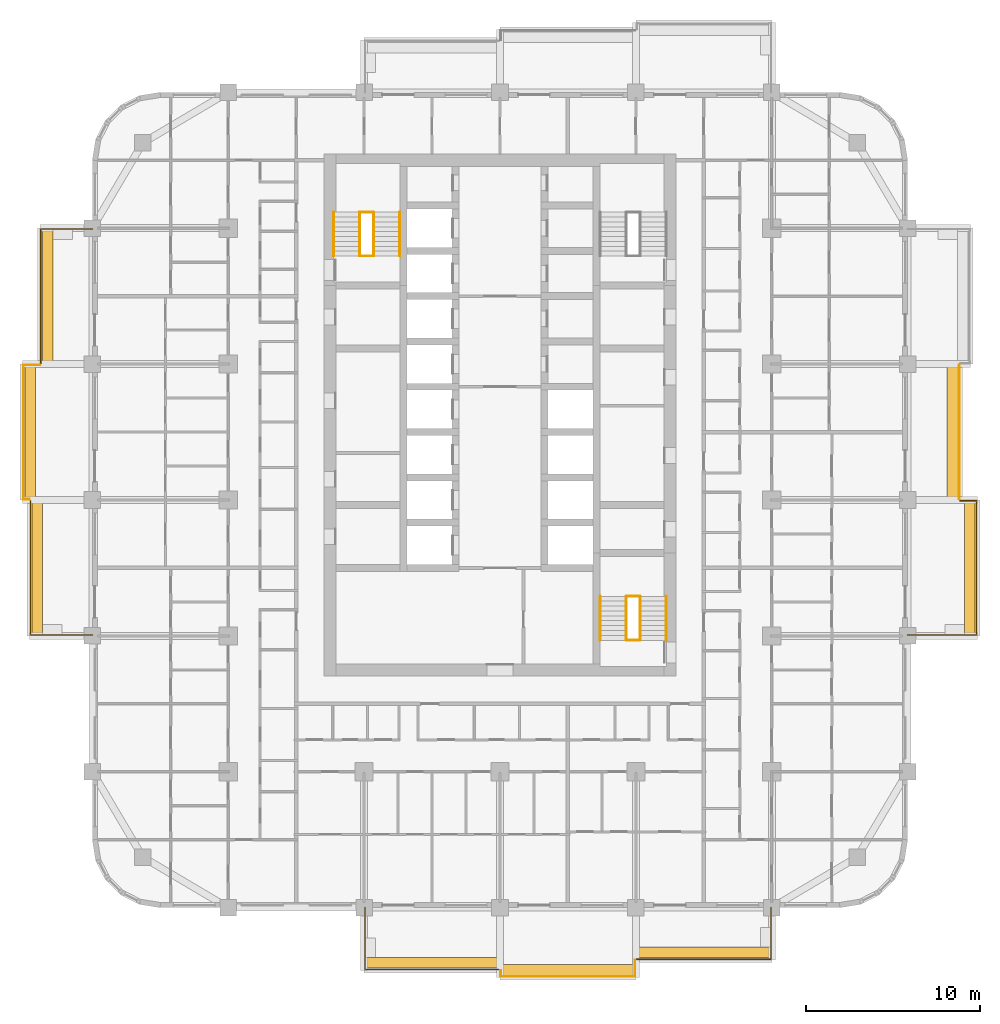
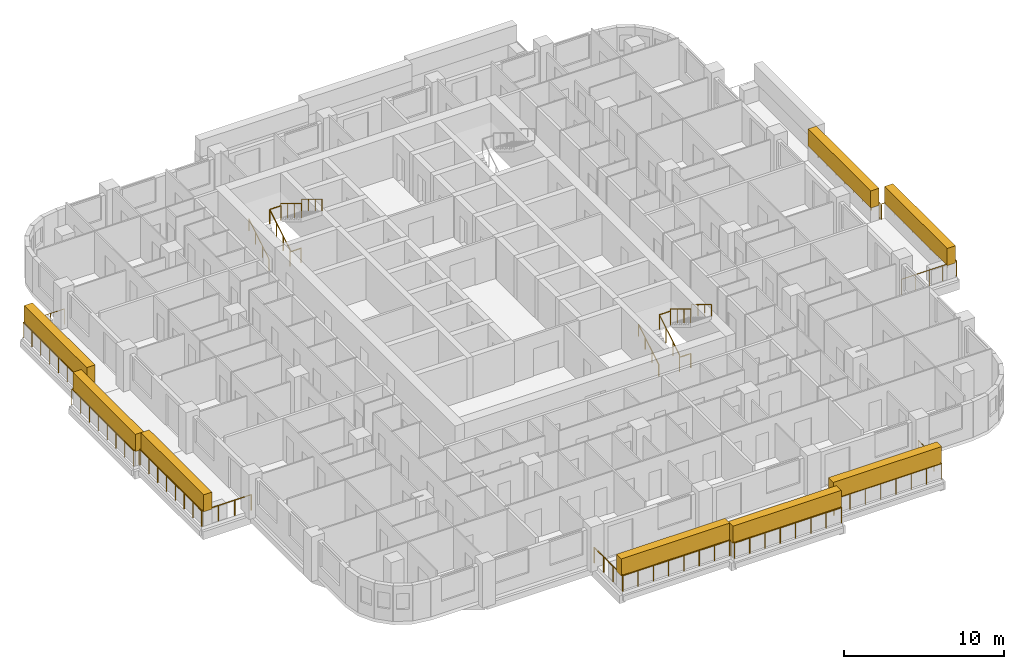
# One storey, part 16 of 17: 20 railings, 8 coverings, 2 elements without a shape of their own.
"""IFC4 building model written with IfcOpenShell, lengths in metres."""

from ifc_helpers import new_model, si_unit, direction, frame, origin, origin_2d, place, context, subcontext, project, spatial, rectangle, circle, extrude, material, layer, layer_set, type_object, element, aggregate, save


model = new_model("IFC4")

# Units and contexts
model_context = context("Model", 3, precision=1e-05, world=origin(), true_north=direction((0.0, 1.0)))
body_context = subcontext(model_context, "Body", "Model", "MODEL_VIEW")
ifc_project = project(units=[si_unit("LENGTHUNIT", "METRE"), si_unit("AREAUNIT", "SQUARE_METRE"), si_unit("VOLUMEUNIT", "CUBIC_METRE"), si_unit("PLANEANGLEUNIT", "RADIAN"), si_unit("MASSUNIT", "GRAM", prefix="KILO")], contexts=[model_context])

# Site, building, storey
site_placement = place(None, origin())
site = spatial("IfcSite", under=ifc_project, at=site_placement, CompositionType="ELEMENT")
building_placement = place(site_placement, origin())
building = spatial("IfcBuilding", under=site, at=building_placement, Name="Ludao Terraces", CompositionType="ELEMENT")
storey_placement = place(building_placement, frame((0.0, 0.0, 88.60009765625)))
storey = spatial("IfcBuildingStorey", under=building, at=storey_placement, Name="L24", CompositionType="ELEMENT", Elevation=88.60009765625)

# Railings
ifc_material_1 = material(Name="Stainless steel 304", Category="steel")
railing_type_1 = type_object("IfcRailingType", Name="ENV Balcony glass guard 1200", PredefinedType="GUARDRAIL", material=ifc_material_1)
railing_1_placement = place(storey_placement, frame((77.25, 41.60009765625, 0.0)))
element("IfcRailing", 1, at=railing_1_placement, inside=storey, type_object=railing_type_1, Name="Balcony guard L24 S2", PredefinedType="GUARDRAIL", context=body_context, shape_type="SweptSolid", body=[
    extrude(circle(Radius=0.02392578125, at=origin_2d()), frame((0.0, 0.0, 1.17578125), z_axis=(0.0, -1.0, 0.0), x_axis=(1.0, 0.0, 0.0)), (0.0, 0.0, 1.0), 3.550048828125),
    extrude(circle(Radius=0.02392578125, at=origin_2d()), frame((0.0, -3.550048828125, 1.17578125), z_axis=(1.0, 0.0, 0.0), x_axis=(0.0, 1.0, 0.0)), (0.0, 0.0, 1.0), 7.699951171875),
    extrude(circle(Radius=0.02099609375, at=origin_2d()), origin(), (0.0, 0.0, 1.0), 1.15185546875),
    extrude(circle(Radius=0.02099609375, at=origin_2d()), frame((0.0, -1.183349609375, 0.0)), (0.0, 0.0, 1.0), 1.15185546875),
    extrude(circle(Radius=0.02099609375, at=origin_2d()), frame((0.0, -2.36669921875, 0.0)), (0.0, 0.0, 1.0), 1.15185546875),
    extrude(circle(Radius=0.02099609375, at=origin_2d()), frame((0.0, -3.550048828125, 0.0)), (0.0, 0.0, 1.0), 1.15185546875),
    extrude(circle(Radius=0.02099609375, at=origin_2d()), frame((1.10009765625, -3.550048828125, 0.0)), (0.0, 0.0, 1.0), 1.15185546875),
    extrude(circle(Radius=0.02099609375, at=origin_2d()), frame((2.199951171875, -3.550048828125, 0.0)), (0.0, 0.0, 1.0), 1.15185546875),
    extrude(circle(Radius=0.02099609375, at=origin_2d()), frame((3.300048828125, -3.550048828125, 0.0)), (0.0, 0.0, 1.0), 1.15185546875),
    extrude(circle(Radius=0.02099609375, at=origin_2d()), frame((4.39990234375, -3.550048828125, 0.0)), (0.0, 0.0, 1.0), 1.15185546875),
    extrude(circle(Radius=0.02099609375, at=origin_2d()), frame((5.5, -3.550048828125, 0.0)), (0.0, 0.0, 1.0), 1.15185546875),
    extrude(circle(Radius=0.02099609375, at=origin_2d()), frame((6.599853515625, -3.550048828125, 0.0)), (0.0, 0.0, 1.0), 1.15185546875),
    extrude(circle(Radius=0.02099609375, at=origin_2d()), frame((7.699951171875, -3.550048828125, 0.0)), (0.0, 0.0, 1.0), 1.15185546875),
])
railing_2_placement = place(storey_placement, frame((85.050048828125, 38.0, 0.0)))
element("IfcRailing", 2, at=railing_2_placement, inside=storey, type_object=railing_type_1, Name="Balcony guard L24 S3", PredefinedType="GUARDRAIL", context=body_context, shape_type="SweptSolid", body=[
    extrude(circle(Radius=0.02392578125, at=origin_2d()), frame((0.0, 0.0, 1.17578125), z_axis=(0.0, -1.0, 0.0), x_axis=(1.0, 0.0, 0.0)), (0.0, 0.0, 1.0), 0.35009765625),
    extrude(circle(Radius=0.02392578125, at=origin_2d()), frame((0.0, -0.35009765625, 1.17578125), z_axis=(1.0, 0.0, 0.0), x_axis=(0.0, 1.0, 0.0)), (0.0, 0.0, 1.0), 7.699951171875),
    extrude(circle(Radius=0.02392578125, at=origin_2d()), frame((7.699951171875, -0.35009765625, 1.17578125), z_axis=(0.0, 1.0, 0.0), x_axis=(-1.0, 0.0, 0.0)), (0.0, 0.0, 1.0), 0.9501953125),
    extrude(circle(Radius=0.02099609375, at=origin_2d()), origin(), (0.0, 0.0, 1.0), 1.15185546875),
    extrude(circle(Radius=0.02099609375, at=origin_2d()), frame((0.0, -0.35009765625, 0.0)), (0.0, 0.0, 1.0), 1.15185546875),
    extrude(circle(Radius=0.02099609375, at=origin_2d()), frame((1.10009765625, -0.35009765625, 0.0)), (0.0, 0.0, 1.0), 1.15185546875),
    extrude(circle(Radius=0.02099609375, at=origin_2d()), frame((2.199951171875, -0.35009765625, 0.0)), (0.0, 0.0, 1.0), 1.15185546875),
    extrude(circle(Radius=0.02099609375, at=origin_2d()), frame((3.300048828125, -0.35009765625, 0.0)), (0.0, 0.0, 1.0), 1.15185546875),
    extrude(circle(Radius=0.02099609375, at=origin_2d()), frame((4.39990234375, -0.35009765625, 0.0)), (0.0, 0.0, 1.0), 1.15185546875),
    extrude(circle(Radius=0.02099609375, at=origin_2d()), frame((5.5, -0.35009765625, 0.0)), (0.0, 0.0, 1.0), 1.15185546875),
    extrude(circle(Radius=0.02099609375, at=origin_2d()), frame((6.599853515625, -0.35009765625, 0.0)), (0.0, 0.0, 1.0), 1.15185546875),
    extrude(circle(Radius=0.02099609375, at=origin_2d()), frame((7.699951171875, -0.35009765625, 0.0)), (0.0, 0.0, 1.0), 1.15185546875),
    extrude(circle(Radius=0.02099609375, at=origin_2d()), frame((7.699951171875, 0.60009765625, 0.0)), (0.0, 0.0, 1.0), 1.15185546875),
])
railing_3_placement = place(storey_placement, frame((92.85009765625, 38.64990234375, 0.0)))
element("IfcRailing", 3, at=railing_3_placement, inside=storey, type_object=railing_type_1, Name="Balcony guard L24 S4", PredefinedType="GUARDRAIL", context=body_context, shape_type="SweptSolid", body=[
    extrude(circle(Radius=0.02392578125, at=origin_2d()), frame((0.0, 0.0, 1.17578125), z_axis=(1.0, 0.0, 0.0), x_axis=(0.0, 1.0, 0.0)), (0.0, 0.0, 1.0), 7.699951171875),
    extrude(circle(Radius=0.02392578125, at=origin_2d()), frame((7.699951171875, 0.0, 1.17578125), z_axis=(0.0, 1.0, 0.0), x_axis=(-1.0, 0.0, 0.0)), (0.0, 0.0, 1.0), 2.9501953125),
    extrude(circle(Radius=0.02099609375, at=origin_2d()), origin(), (0.0, 0.0, 1.0), 1.15185546875),
    extrude(circle(Radius=0.02099609375, at=origin_2d()), frame((1.10009765625, 0.0, 0.0)), (0.0, 0.0, 1.0), 1.15185546875),
    extrude(circle(Radius=0.02099609375, at=origin_2d()), frame((2.199951171875, 0.0, 0.0)), (0.0, 0.0, 1.0), 1.15185546875),
    extrude(circle(Radius=0.02099609375, at=origin_2d()), frame((3.300048828125, 0.0, 0.0)), (0.0, 0.0, 1.0), 1.15185546875),
    extrude(circle(Radius=0.02099609375, at=origin_2d()), frame((4.39990234375, 0.0, 0.0)), (0.0, 0.0, 1.0), 1.15185546875),
    extrude(circle(Radius=0.02099609375, at=origin_2d()), frame((5.5, 0.0, 0.0)), (0.0, 0.0, 1.0), 1.15185546875),
    extrude(circle(Radius=0.02099609375, at=origin_2d()), frame((6.599853515625, 0.0, 0.0)), (0.0, 0.0, 1.0), 1.15185546875),
    extrude(circle(Radius=0.02099609375, at=origin_2d()), frame((7.699951171875, 0.0, 0.0)), (0.0, 0.0, 1.0), 1.15185546875),
    extrude(circle(Radius=0.02099609375, at=origin_2d()), frame((7.699951171875, 0.9833984375, 0.0)), (0.0, 0.0, 1.0), 1.15185546875),
    extrude(circle(Radius=0.02099609375, at=origin_2d()), frame((7.699951171875, 1.966796875, 0.0)), (0.0, 0.0, 1.0), 1.15185546875),
    extrude(circle(Radius=0.02099609375, at=origin_2d()), frame((7.699951171875, 2.9501953125, 0.0)), (0.0, 0.0, 1.0), 1.15185546875),
])
railing_4_placement = place(storey_placement, frame((108.39990234375, 57.25, 0.0)))
element("IfcRailing", 4, at=railing_4_placement, inside=storey, type_object=railing_type_1, Name="Balcony guard L24 E2", PredefinedType="GUARDRAIL", context=body_context, shape_type="SweptSolid", body=[
    extrude(circle(Radius=0.02392578125, at=origin_2d()), frame((0.0, 0.0, 1.17578125), z_axis=(1.0, 0.0, 0.0), x_axis=(0.0, 1.0, 0.0)), (0.0, 0.0, 1.0), 3.9501953125),
    extrude(circle(Radius=0.02392578125, at=origin_2d()), frame((3.9501953125, 0.0, 1.17578125), z_axis=(0.0, 1.0, 0.0), x_axis=(-1.0, 0.0, 0.0)), (0.0, 0.0, 1.0), 7.699951171875),
    extrude(circle(Radius=0.02392578125, at=origin_2d()), frame((3.9501953125, 7.699951171875, 1.17578125), z_axis=(-1.0, 0.0, 0.0), x_axis=(0.0, -1.0, 0.0)), (0.0, 0.0, 1.0), 0.9501953125),
    extrude(circle(Radius=0.02099609375, at=origin_2d()), origin(), (0.0, 0.0, 1.0), 1.15185546875),
    extrude(circle(Radius=0.02099609375, at=origin_2d()), frame((0.987548828125, 0.0, 0.0)), (0.0, 0.0, 1.0), 1.15185546875),
    extrude(circle(Radius=0.02099609375, at=origin_2d()), frame((1.97509765625, 0.0, 0.0)), (0.0, 0.0, 1.0), 1.15185546875),
    extrude(circle(Radius=0.02099609375, at=origin_2d()), frame((2.962646484375, 0.0, 0.0)), (0.0, 0.0, 1.0), 1.15185546875),
    extrude(circle(Radius=0.02099609375, at=origin_2d()), frame((3.9501953125, 0.0, 0.0)), (0.0, 0.0, 1.0), 1.15185546875),
    extrude(circle(Radius=0.02099609375, at=origin_2d()), frame((3.9501953125, 1.10009765625, 0.0)), (0.0, 0.0, 1.0), 1.15185546875),
    extrude(circle(Radius=0.02099609375, at=origin_2d()), frame((3.9501953125, 2.199951171875, 0.0)), (0.0, 0.0, 1.0), 1.15185546875),
    extrude(circle(Radius=0.02099609375, at=origin_2d()), frame((3.9501953125, 3.300048828125, 0.0)), (0.0, 0.0, 1.0), 1.15185546875),
    extrude(circle(Radius=0.02099609375, at=origin_2d()), frame((3.9501953125, 4.39990234375, 0.0)), (0.0, 0.0, 1.0), 1.15185546875),
    extrude(circle(Radius=0.02099609375, at=origin_2d()), frame((3.9501953125, 5.5, 0.0)), (0.0, 0.0, 1.0), 1.15185546875),
    extrude(circle(Radius=0.02099609375, at=origin_2d()), frame((3.9501953125, 6.599853515625, 0.0)), (0.0, 0.0, 1.0), 1.15185546875),
    extrude(circle(Radius=0.02099609375, at=origin_2d()), frame((3.9501953125, 7.699951171875, 0.0)), (0.0, 0.0, 1.0), 1.15185546875),
    extrude(circle(Radius=0.02099609375, at=origin_2d()), frame((3.0, 7.699951171875, 0.0)), (0.0, 0.0, 1.0), 1.15185546875),
])
railing_5_placement = place(storey_placement, frame((111.35009765625, 65.050048828125, 0.0)))
element("IfcRailing", 5, at=railing_5_placement, inside=storey, type_object=railing_type_1, Name="Balcony guard L24 E3", PredefinedType="GUARDRAIL", context=body_context, shape_type="SweptSolid", body=[
    extrude(circle(Radius=0.02392578125, at=origin_2d()), frame((0.0, 0.0, 1.17578125), z_axis=(0.0, 1.0, 0.0), x_axis=(-1.0, 0.0, 0.0)), (0.0, 0.0, 1.0), 7.699951171875),
    extrude(circle(Radius=0.02099609375, at=origin_2d()), origin(), (0.0, 0.0, 1.0), 1.15185546875),
    extrude(circle(Radius=0.02099609375, at=origin_2d()), frame((0.0, 1.10009765625, 0.0)), (0.0, 0.0, 1.0), 1.15185546875),
    extrude(circle(Radius=0.02099609375, at=origin_2d()), frame((0.0, 2.199951171875, 0.0)), (0.0, 0.0, 1.0), 1.15185546875),
    extrude(circle(Radius=0.02099609375, at=origin_2d()), frame((0.0, 3.300048828125, 0.0)), (0.0, 0.0, 1.0), 1.15185546875),
    extrude(circle(Radius=0.02099609375, at=origin_2d()), frame((0.0, 4.39990234375, 0.0)), (0.0, 0.0, 1.0), 1.15185546875),
    extrude(circle(Radius=0.02099609375, at=origin_2d()), frame((0.0, 5.5, 0.0)), (0.0, 0.0, 1.0), 1.15185546875),
    extrude(circle(Radius=0.02099609375, at=origin_2d()), frame((0.0, 6.599853515625, 0.0)), (0.0, 0.0, 1.0), 1.15185546875),
    extrude(circle(Radius=0.02099609375, at=origin_2d()), frame((0.0, 7.699951171875, 0.0)), (0.0, 0.0, 1.0), 1.15185546875),
])
railing_6_placement = place(storey_placement, frame((61.60009765625, 57.25, 0.0)))
element("IfcRailing", 6, at=railing_6_placement, inside=storey, type_object=railing_type_1, Name="Balcony guard L24 W2", PredefinedType="GUARDRAIL", context=body_context, shape_type="SweptSolid", body=[
    extrude(circle(Radius=0.02392578125, at=origin_2d()), frame((0.0, 0.0, 1.17578125), z_axis=(-1.0, 0.0, 0.0), x_axis=(0.0, -1.0, 0.0)), (0.0, 0.0, 1.0), 3.550048828125),
    extrude(circle(Radius=0.02392578125, at=origin_2d()), frame((-3.550048828125, 0.0, 1.17578125), z_axis=(0.0, 1.0, 0.0), x_axis=(-1.0, 0.0, 0.0)), (0.0, 0.0, 1.0), 7.699951171875),
    extrude(circle(Radius=0.02099609375, at=origin_2d()), origin(), (0.0, 0.0, 1.0), 1.15185546875),
    extrude(circle(Radius=0.02099609375, at=origin_2d()), frame((-1.183349609375, 0.0, 0.0)), (0.0, 0.0, 1.0), 1.15185546875),
    extrude(circle(Radius=0.02099609375, at=origin_2d()), frame((-2.36669921875, 0.0, 0.0)), (0.0, 0.0, 1.0), 1.15185546875),
    extrude(circle(Radius=0.02099609375, at=origin_2d()), frame((-3.550048828125, 0.0, 0.0)), (0.0, 0.0, 1.0), 1.15185546875),
    extrude(circle(Radius=0.02099609375, at=origin_2d()), frame((-3.550048828125, 1.10009765625, 0.0)), (0.0, 0.0, 1.0), 1.15185546875),
    extrude(circle(Radius=0.02099609375, at=origin_2d()), frame((-3.550048828125, 2.199951171875, 0.0)), (0.0, 0.0, 1.0), 1.15185546875),
    extrude(circle(Radius=0.02099609375, at=origin_2d()), frame((-3.550048828125, 3.300048828125, 0.0)), (0.0, 0.0, 1.0), 1.15185546875),
    extrude(circle(Radius=0.02099609375, at=origin_2d()), frame((-3.550048828125, 4.39990234375, 0.0)), (0.0, 0.0, 1.0), 1.15185546875),
    extrude(circle(Radius=0.02099609375, at=origin_2d()), frame((-3.550048828125, 5.5, 0.0)), (0.0, 0.0, 1.0), 1.15185546875),
    extrude(circle(Radius=0.02099609375, at=origin_2d()), frame((-3.550048828125, 6.599853515625, 0.0)), (0.0, 0.0, 1.0), 1.15185546875),
    extrude(circle(Radius=0.02099609375, at=origin_2d()), frame((-3.550048828125, 7.699951171875, 0.0)), (0.0, 0.0, 1.0), 1.15185546875),
])
railing_7_placement = place(storey_placement, frame((58.0, 65.050048828125, 0.0)))
element("IfcRailing", 7, at=railing_7_placement, inside=storey, type_object=railing_type_1, Name="Balcony guard L24 W3", PredefinedType="GUARDRAIL", context=body_context, shape_type="SweptSolid", body=[
    extrude(circle(Radius=0.02392578125, at=origin_2d()), frame((0.0, 0.0, 1.17578125), z_axis=(-1.0, 0.0, 0.0), x_axis=(0.0, -1.0, 0.0)), (0.0, 0.0, 1.0), 0.35009765625),
    extrude(circle(Radius=0.02392578125, at=origin_2d()), frame((-0.35009765625, 0.0, 1.17578125), z_axis=(0.0, 1.0, 0.0), x_axis=(-1.0, 0.0, 0.0)), (0.0, 0.0, 1.0), 7.699951171875),
    extrude(circle(Radius=0.02392578125, at=origin_2d()), frame((-0.35009765625, 7.699951171875, 1.17578125), z_axis=(1.0, 0.0, 0.0), x_axis=(0.0, 1.0, 0.0)), (0.0, 0.0, 1.0), 0.9501953125),
    extrude(circle(Radius=0.02099609375, at=origin_2d()), origin(), (0.0, 0.0, 1.0), 1.15185546875),
    extrude(circle(Radius=0.02099609375, at=origin_2d()), frame((-0.35009765625, 0.0, 0.0)), (0.0, 0.0, 1.0), 1.15185546875),
    extrude(circle(Radius=0.02099609375, at=origin_2d()), frame((-0.35009765625, 1.10009765625, 0.0)), (0.0, 0.0, 1.0), 1.15185546875),
    extrude(circle(Radius=0.02099609375, at=origin_2d()), frame((-0.35009765625, 2.199951171875, 0.0)), (0.0, 0.0, 1.0), 1.15185546875),
    extrude(circle(Radius=0.02099609375, at=origin_2d()), frame((-0.35009765625, 3.300048828125, 0.0)), (0.0, 0.0, 1.0), 1.15185546875),
    extrude(circle(Radius=0.02099609375, at=origin_2d()), frame((-0.35009765625, 4.39990234375, 0.0)), (0.0, 0.0, 1.0), 1.15185546875),
    extrude(circle(Radius=0.02099609375, at=origin_2d()), frame((-0.35009765625, 5.5, 0.0)), (0.0, 0.0, 1.0), 1.15185546875),
    extrude(circle(Radius=0.02099609375, at=origin_2d()), frame((-0.35009765625, 6.599853515625, 0.0)), (0.0, 0.0, 1.0), 1.15185546875),
    extrude(circle(Radius=0.02099609375, at=origin_2d()), frame((-0.35009765625, 7.699951171875, 0.0)), (0.0, 0.0, 1.0), 1.15185546875),
    extrude(circle(Radius=0.02099609375, at=origin_2d()), frame((0.60009765625, 7.699951171875, 0.0)), (0.0, 0.0, 1.0), 1.15185546875),
])
railing_8_placement = place(storey_placement, frame((58.64990234375, 72.85009765625, 0.0)))
element("IfcRailing", 8, at=railing_8_placement, inside=storey, type_object=railing_type_1, Name="Balcony guard L24 W4", PredefinedType="GUARDRAIL", context=body_context, shape_type="SweptSolid", body=[
    extrude(circle(Radius=0.02392578125, at=origin_2d()), frame((0.0, 0.0, 1.17578125), z_axis=(0.0, 1.0, 0.0), x_axis=(-1.0, 0.0, 0.0)), (0.0, 0.0, 1.0), 7.699951171875),
    extrude(circle(Radius=0.02392578125, at=origin_2d()), frame((0.0, 7.699951171875, 1.17578125), z_axis=(1.0, 0.0, 0.0), x_axis=(0.0, 1.0, 0.0)), (0.0, 0.0, 1.0), 2.9501953125),
    extrude(circle(Radius=0.02099609375, at=origin_2d()), origin(), (0.0, 0.0, 1.0), 1.15185546875),
    extrude(circle(Radius=0.02099609375, at=origin_2d()), frame((0.0, 1.10009765625, 0.0)), (0.0, 0.0, 1.0), 1.15185546875),
    extrude(circle(Radius=0.02099609375, at=origin_2d()), frame((0.0, 2.199951171875, 0.0)), (0.0, 0.0, 1.0), 1.15185546875),
    extrude(circle(Radius=0.02099609375, at=origin_2d()), frame((0.0, 3.300048828125, 0.0)), (0.0, 0.0, 1.0), 1.15185546875),
    extrude(circle(Radius=0.02099609375, at=origin_2d()), frame((0.0, 4.39990234375, 0.0)), (0.0, 0.0, 1.0), 1.15185546875),
    extrude(circle(Radius=0.02099609375, at=origin_2d()), frame((0.0, 5.5, 0.0)), (0.0, 0.0, 1.0), 1.15185546875),
    extrude(circle(Radius=0.02099609375, at=origin_2d()), frame((0.0, 6.599853515625, 0.0)), (0.0, 0.0, 1.0), 1.15185546875),
    extrude(circle(Radius=0.02099609375, at=origin_2d()), frame((0.0, 7.699951171875, 0.0)), (0.0, 0.0, 1.0), 1.15185546875),
    extrude(circle(Radius=0.02099609375, at=origin_2d()), frame((0.9833984375, 7.699951171875, 0.0)), (0.0, 0.0, 1.0), 1.15185546875),
    extrude(circle(Radius=0.02099609375, at=origin_2d()), frame((1.966796875, 7.699951171875, 0.0)), (0.0, 0.0, 1.0), 1.15185546875),
    extrude(circle(Radius=0.02099609375, at=origin_2d()), frame((2.9501953125, 7.699951171875, 0.0)), (0.0, 0.0, 1.0), 1.15185546875),
])

# Coverings
ifc_material_2 = material(Name="Planting")
ifc_layer = layer(ifc_material_2, 0.60009765625)
ifc_layer_set = layer_set([ifc_layer], Name="ENV Planting hedge 600x1300")
covering_type = type_object("IfcCoveringType", Name="ENV Planting hedge 600x1300", PredefinedType="USERDEFINED", material=ifc_layer_set)
for number, where, z_axis, x_axis, name in (
    (9, (81.10009765625, 38.449951171875, 1.10009765625), (0.0, 0.0, 1.0), (1.0, 0.0, 0.0), "Planting hedge L24-S2"),
    (10, (88.89990234375, 38.050048828125, 1.10009765625), (0.0, 0.0, 1.0), (1.0, 0.0, 0.0), "Planting hedge L24-S3"),
    (11, (96.699951171875, 39.050048828125, 1.10009765625), (0.0, 0.0, 1.0), (1.0, 0.0, 0.0), "Planting hedge L24-S4"),
):
    element("IfcCovering", number, at=place(storey_placement, frame(where, z_axis=z_axis, x_axis=x_axis)), inside=storey, type_object=covering_type, Name=name, ObjectType="PLANTING", PredefinedType="USERDEFINED", context=body_context, shape_type="SweptSolid", body=[
        extrude(rectangle(XDim=7.800048828125, YDim=0.60009765625, at=origin_2d()), origin(), (0.0, 0.0, 1.0), 1.300048828125),
    ])
for number, where, z_axis, x_axis, name in (
    (12, (111.949951171875, 61.10009765625, 1.10009765625), (0.0, 0.0, 1.0), (1.0, 0.0, 0.0), "Planting hedge L24-E2"),
    (13, (110.949951171875, 68.89990234375, 1.10009765625), (0.0, 0.0, 1.0), (1.0, 0.0, 0.0), "Planting hedge L24-E3"),
    (14, (58.449951171875, 61.10009765625, 1.10009765625), (0.0, 0.0, 1.0), (1.0, 0.0, 0.0), "Planting hedge L24-W2"),
    (15, (58.050048828125, 68.89990234375, 1.10009765625), (0.0, 0.0, 1.0), (1.0, 0.0, 0.0), "Planting hedge L24-W3"),
    (16, (59.050048828125, 76.699951171875, 1.10009765625), (0.0, 0.0, 1.0), (1.0, 0.0, 0.0), "Planting hedge L24-W4"),
):
    element("IfcCovering", number, at=place(storey_placement, frame(where, z_axis=z_axis, x_axis=x_axis)), inside=storey, type_object=covering_type, Name=name, ObjectType="PLANTING", PredefinedType="USERDEFINED", context=body_context, shape_type="SweptSolid", body=[
        extrude(rectangle(XDim=0.60009765625, YDim=7.800048828125, at=origin_2d()), origin(), (0.0, 0.0, 1.0), 1.300048828125),
    ])

# Stair, railings
ifc_material_3 = material(Name="Concrete C40", Category="concrete")
stair_type = type_object("IfcStairType", Name="INT Stair", PredefinedType="HALF_TURN_STAIR", material=ifc_material_3)
stair_1_placement = place(storey_placement, origin())
stair_1 = element("IfcStair", 17, at=stair_1_placement, inside=storey, type_object=stair_type, Name="EXIT STAIR 1", PredefinedType="HALF_TURN_STAIR")
railing_type_2 = type_object("IfcRailingType", Name="INT Stair guard 1100", PredefinedType="GUARDRAIL", material=ifc_material_1)
railing_9_placement = place(storey_placement, frame((76.949951171875, 79.0, 0.169921875)))
railing_9 = element("IfcRailing", 18, at=railing_9_placement, type_object=railing_type_2, Name="ST-L24-S1-R1G", PredefinedType="GUARDRAIL", context=body_context, shape_type="SweptSolid", body=[
    extrude(circle(Radius=0.02392578125, at=origin_2d()), frame((0.0, 0.0, 1.076171875), z_axis=(0.0, 0.85478489116, 0.518982456201), x_axis=(-1.0, 0.0, 0.0)), (0.0, 0.0, 1.0), 2.9482421875),
    extrude(circle(Radius=0.02099609375, at=origin_2d()), origin(), (0.0, 0.0, 1.0), 1.052001953125),
    extrude(circle(Radius=0.02099609375, at=origin_2d()), frame((0.0, 0.840087890625, 0.510009765625)), (0.0, 0.0, 1.0), 1.052001953125),
    extrude(circle(Radius=0.02099609375, at=origin_2d()), frame((0.0, 1.679931640625, 1.02001953125)), (0.0, 0.0, 1.0), 1.052001953125),
    extrude(circle(Radius=0.02099609375, at=origin_2d()), frame((0.0, 2.52001953125, 1.530029296875)), (0.0, 0.0, 1.0), 1.052001953125),
])
railing_10_placement = place(storey_placement, frame((77.75, 81.52001953125, 1.869873046875)))
railing_10 = element("IfcRailing", 19, at=railing_10_placement, type_object=railing_type_2, Name="ST-L24-S1-R2G", PredefinedType="GUARDRAIL", context=body_context, shape_type="SweptSolid", body=[
    extrude(circle(Radius=0.02392578125, at=origin_2d()), frame((0.0, 0.0, 1.076171875), z_axis=(0.0, -0.85478489116, 0.518982456201), x_axis=(1.0, 0.0, 0.0)), (0.0, 0.0, 1.0), 2.9482421875),
    extrude(circle(Radius=0.02099609375, at=origin_2d()), origin(), (0.0, 0.0, 1.0), 1.052001953125),
    extrude(circle(Radius=0.02099609375, at=origin_2d()), frame((0.0, -0.840087890625, 0.510009765625)), (0.0, 0.0, 1.0), 1.052001953125),
    extrude(circle(Radius=0.02099609375, at=origin_2d()), frame((0.0, -1.679931640625, 1.02001953125)), (0.0, 0.0, 1.0), 1.052001953125),
    extrude(circle(Radius=0.02099609375, at=origin_2d()), frame((0.0, -2.52001953125, 1.530029296875)), (0.0, 0.0, 1.0), 1.052001953125),
])
railing_11_placement = place(storey_placement, frame((76.949951171875, 81.52001953125, 1.699951171875)))
railing_11 = element("IfcRailing", 20, at=railing_11_placement, type_object=railing_type_2, Name="ST-L24-S1-E1G", PredefinedType="GUARDRAIL", context=body_context, shape_type="SweptSolid", body=[
    extrude(circle(Radius=0.02392578125, at=origin_2d()), frame((0.0, 0.0, 1.076171875), z_axis=(1.0, 0.0, 0.0), x_axis=(0.0, 1.0, 0.0)), (0.0, 0.0, 1.0), 0.800048828125),
    extrude(circle(Radius=0.02099609375, at=origin_2d()), origin(), (0.0, 0.0, 1.0), 1.052001953125),
    extrude(circle(Radius=0.02099609375, at=origin_2d()), frame((0.800048828125, 0.0, 0.0)), (0.0, 0.0, 1.0), 1.052001953125),
])
railing_12_placement = place(storey_placement, frame((76.949951171875, 79.0, 0.0)))
railing_12 = element("IfcRailing", 21, at=railing_12_placement, type_object=railing_type_2, Name="ST-L24-S1-E2G", PredefinedType="GUARDRAIL", context=body_context, shape_type="SweptSolid", body=[
    extrude(circle(Radius=0.02392578125, at=origin_2d()), frame((0.0, 0.0, 1.076171875), z_axis=(1.0, 0.0, 0.0), x_axis=(0.0, 1.0, 0.0)), (0.0, 0.0, 1.0), 0.800048828125),
    extrude(circle(Radius=0.02099609375, at=origin_2d()), origin(), (0.0, 0.0, 1.0), 1.052001953125),
    extrude(circle(Radius=0.02099609375, at=origin_2d()), frame((0.800048828125, 0.0, 0.0)), (0.0, 0.0, 1.0), 1.052001953125),
])

stair_2_placement = place(storey_placement, origin())
stair_2 = element("IfcStair", 22, at=stair_2_placement, inside=storey, type_object=stair_type, Name="EXIT STAIR 3", PredefinedType="HALF_TURN_STAIR")
railing_13_placement = place(storey_placement, frame((92.25, 56.949951171875, 0.169921875)))
railing_13 = element("IfcRailing", 23, at=railing_13_placement, type_object=railing_type_2, Name="ST-L24-S3-R1G", PredefinedType="GUARDRAIL", context=body_context, shape_type="SweptSolid", body=[
    extrude(circle(Radius=0.02392578125, at=origin_2d()), frame((0.0, 0.0, 1.076171875), z_axis=(0.0, 0.85478489116, 0.518982456201), x_axis=(-1.0, 0.0, 0.0)), (0.0, 0.0, 1.0), 2.9482421875),
    extrude(circle(Radius=0.02099609375, at=origin_2d()), origin(), (0.0, 0.0, 1.0), 1.052001953125),
    extrude(circle(Radius=0.02099609375, at=origin_2d()), frame((0.0, 0.840087890625, 0.510009765625)), (0.0, 0.0, 1.0), 1.052001953125),
    extrude(circle(Radius=0.02099609375, at=origin_2d()), frame((0.0, 1.679931640625, 1.02001953125)), (0.0, 0.0, 1.0), 1.052001953125),
    extrude(circle(Radius=0.02099609375, at=origin_2d()), frame((0.0, 2.52001953125, 1.530029296875)), (0.0, 0.0, 1.0), 1.052001953125),
])
railing_14_placement = place(storey_placement, frame((93.050048828125, 59.469970703125, 1.869873046875)))
railing_14 = element("IfcRailing", 24, at=railing_14_placement, type_object=railing_type_2, Name="ST-L24-S3-R2G", PredefinedType="GUARDRAIL", context=body_context, shape_type="SweptSolid", body=[
    extrude(circle(Radius=0.02392578125, at=origin_2d()), frame((0.0, 0.0, 1.076171875), z_axis=(0.0, -0.85478489116, 0.518982456201), x_axis=(1.0, 0.0, 0.0)), (0.0, 0.0, 1.0), 2.9482421875),
    extrude(circle(Radius=0.02099609375, at=origin_2d()), origin(), (0.0, 0.0, 1.0), 1.052001953125),
    extrude(circle(Radius=0.02099609375, at=origin_2d()), frame((0.0, -0.840087890625, 0.510009765625)), (0.0, 0.0, 1.0), 1.052001953125),
    extrude(circle(Radius=0.02099609375, at=origin_2d()), frame((0.0, -1.679931640625, 1.02001953125)), (0.0, 0.0, 1.0), 1.052001953125),
    extrude(circle(Radius=0.02099609375, at=origin_2d()), frame((0.0, -2.52001953125, 1.530029296875)), (0.0, 0.0, 1.0), 1.052001953125),
])
railing_15_placement = place(storey_placement, frame((92.25, 59.469970703125, 1.699951171875)))
railing_15 = element("IfcRailing", 25, at=railing_15_placement, type_object=railing_type_2, Name="ST-L24-S3-E1G", PredefinedType="GUARDRAIL", context=body_context, shape_type="SweptSolid", body=[
    extrude(circle(Radius=0.02392578125, at=origin_2d()), frame((0.0, 0.0, 1.076171875), z_axis=(1.0, 0.0, 0.0), x_axis=(0.0, 1.0, 0.0)), (0.0, 0.0, 1.0), 0.800048828125),
    extrude(circle(Radius=0.02099609375, at=origin_2d()), origin(), (0.0, 0.0, 1.0), 1.052001953125),
    extrude(circle(Radius=0.02099609375, at=origin_2d()), frame((0.800048828125, 0.0, 0.0)), (0.0, 0.0, 1.0), 1.052001953125),
])
railing_16_placement = place(storey_placement, frame((92.25, 56.949951171875, 0.0)))
railing_16 = element("IfcRailing", 26, at=railing_16_placement, type_object=railing_type_2, Name="ST-L24-S3-E2G", PredefinedType="GUARDRAIL", context=body_context, shape_type="SweptSolid", body=[
    extrude(circle(Radius=0.02392578125, at=origin_2d()), frame((0.0, 0.0, 1.076171875), z_axis=(1.0, 0.0, 0.0), x_axis=(0.0, 1.0, 0.0)), (0.0, 0.0, 1.0), 0.800048828125),
    extrude(circle(Radius=0.02099609375, at=origin_2d()), origin(), (0.0, 0.0, 1.0), 1.052001953125),
    extrude(circle(Radius=0.02099609375, at=origin_2d()), frame((0.800048828125, 0.0, 0.0)), (0.0, 0.0, 1.0), 1.052001953125),
])

# Railing
railing_type_3 = type_object("IfcRailingType", Name="INT Stair handrail 900", PredefinedType="HANDRAIL", material=ifc_material_1)
railing_17_placement = place(storey_placement, frame((75.449951171875, 79.0, 0.169921875)))
railing_17 = element("IfcRailing", 27, at=railing_17_placement, type_object=railing_type_3, Name="ST-L24-S1-R1H", PredefinedType="HANDRAIL", context=body_context, shape_type="SweptSolid", body=[
    extrude(circle(Radius=0.02392578125, at=origin_2d()), frame((0.0, 0.0, 0.8759765625), z_axis=(0.0, 0.85478489116, 0.518982456201), x_axis=(-1.0, 0.0, 0.0)), (0.0, 0.0, 1.0), 2.9482421875),
    extrude(circle(Radius=0.02099609375, at=origin_2d()), origin(), (0.0, 0.0, 1.0), 0.851806640625),
    extrude(circle(Radius=0.02099609375, at=origin_2d()), frame((0.0, 0.840087890625, 0.510009765625)), (0.0, 0.0, 1.0), 0.851806640625),
    extrude(circle(Radius=0.02099609375, at=origin_2d()), frame((0.0, 1.679931640625, 1.02001953125)), (0.0, 0.0, 1.0), 0.851806640625),
    extrude(circle(Radius=0.02099609375, at=origin_2d()), frame((0.0, 2.52001953125, 1.530029296875)), (0.0, 0.0, 1.0), 0.851806640625),
])

railing_18_placement = place(storey_placement, frame((79.25, 81.52001953125, 1.869873046875)))
railing_18 = element("IfcRailing", 28, at=railing_18_placement, type_object=railing_type_3, Name="ST-L24-S1-R2H", PredefinedType="HANDRAIL", context=body_context, shape_type="SweptSolid", body=[
    extrude(circle(Radius=0.02392578125, at=origin_2d()), frame((0.0, 0.0, 0.8759765625), z_axis=(0.0, -0.85478489116, 0.518982456201), x_axis=(1.0, 0.0, 0.0)), (0.0, 0.0, 1.0), 2.9482421875),
    extrude(circle(Radius=0.02099609375, at=origin_2d()), origin(), (0.0, 0.0, 1.0), 0.851806640625),
    extrude(circle(Radius=0.02099609375, at=origin_2d()), frame((0.0, -0.840087890625, 0.510009765625)), (0.0, 0.0, 1.0), 0.851806640625),
    extrude(circle(Radius=0.02099609375, at=origin_2d()), frame((0.0, -1.679931640625, 1.02001953125)), (0.0, 0.0, 1.0), 0.851806640625),
    extrude(circle(Radius=0.02099609375, at=origin_2d()), frame((0.0, -2.52001953125, 1.530029296875)), (0.0, 0.0, 1.0), 0.851806640625),
])

aggregate(stair_1, [railing_9, railing_17, railing_10, railing_18, railing_11, railing_12])

railing_19_placement = place(storey_placement, frame((90.75, 56.949951171875, 0.169921875)))
railing_19 = element("IfcRailing", 29, at=railing_19_placement, type_object=railing_type_3, Name="ST-L24-S3-R1H", PredefinedType="HANDRAIL", context=body_context, shape_type="SweptSolid", body=[
    extrude(circle(Radius=0.02392578125, at=origin_2d()), frame((0.0, 0.0, 0.8759765625), z_axis=(0.0, 0.85478489116, 0.518982456201), x_axis=(-1.0, 0.0, 0.0)), (0.0, 0.0, 1.0), 2.9482421875),
    extrude(circle(Radius=0.02099609375, at=origin_2d()), origin(), (0.0, 0.0, 1.0), 0.851806640625),
    extrude(circle(Radius=0.02099609375, at=origin_2d()), frame((0.0, 0.840087890625, 0.510009765625)), (0.0, 0.0, 1.0), 0.851806640625),
    extrude(circle(Radius=0.02099609375, at=origin_2d()), frame((0.0, 1.679931640625, 1.02001953125)), (0.0, 0.0, 1.0), 0.851806640625),
    extrude(circle(Radius=0.02099609375, at=origin_2d()), frame((0.0, 2.52001953125, 1.530029296875)), (0.0, 0.0, 1.0), 0.851806640625),
])

railing_20_placement = place(storey_placement, frame((94.550048828125, 59.469970703125, 1.869873046875)))
railing_20 = element("IfcRailing", 30, at=railing_20_placement, type_object=railing_type_3, Name="ST-L24-S3-R2H", PredefinedType="HANDRAIL", context=body_context, shape_type="SweptSolid", body=[
    extrude(circle(Radius=0.02392578125, at=origin_2d()), frame((0.0, 0.0, 0.8759765625), z_axis=(0.0, -0.85478489116, 0.518982456201), x_axis=(1.0, 0.0, 0.0)), (0.0, 0.0, 1.0), 2.9482421875),
    extrude(circle(Radius=0.02099609375, at=origin_2d()), origin(), (0.0, 0.0, 1.0), 0.851806640625),
    extrude(circle(Radius=0.02099609375, at=origin_2d()), frame((0.0, -0.840087890625, 0.510009765625)), (0.0, 0.0, 1.0), 0.851806640625),
    extrude(circle(Radius=0.02099609375, at=origin_2d()), frame((0.0, -1.679931640625, 1.02001953125)), (0.0, 0.0, 1.0), 0.851806640625),
    extrude(circle(Radius=0.02099609375, at=origin_2d()), frame((0.0, -2.52001953125, 1.530029296875)), (0.0, 0.0, 1.0), 0.851806640625),
])

aggregate(stair_2, [railing_13, railing_19, railing_14, railing_20, railing_15, railing_16])

save(model, "model.ifc")
